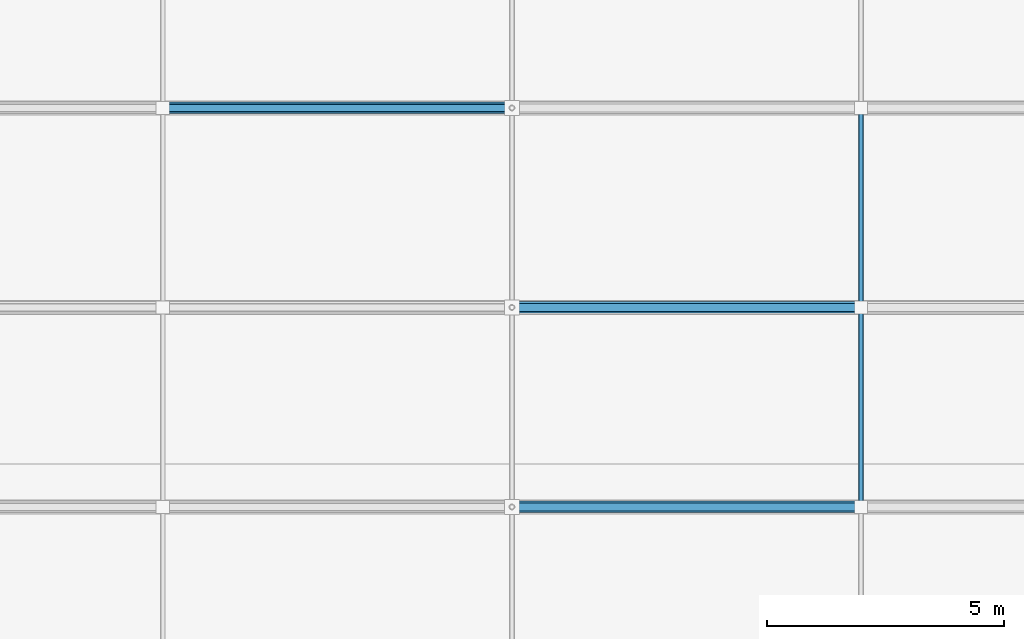
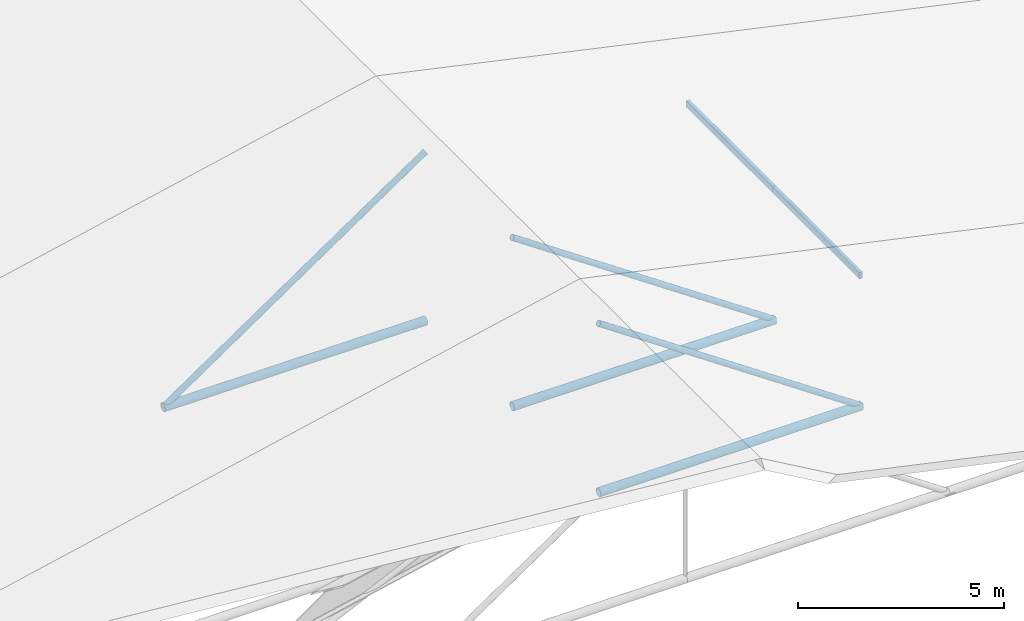
# One storey, part 16 of 60: 8 members.
"""IFC4 building model written with IfcOpenShell, lengths in metres."""

from ifc_helpers import new_model, si_unit, direction, frame, origin, origin_2d, place, context, subcontext, project, spatial, hollow_rectangle, hollow_circle, extrude, material, material_profile, profile_set, type_object, element, save


model = new_model("IFC4")

# Units and contexts
model_context = context("Model", 3, precision=1e-05, world=origin(), true_north=direction((0.0, 1.0)))
body_context = subcontext(model_context, "Body", "Model", "MODEL_VIEW")
ifc_project = project(units=[si_unit("LENGTHUNIT", "METRE"), si_unit("AREAUNIT", "SQUARE_METRE"), si_unit("VOLUMEUNIT", "CUBIC_METRE"), si_unit("PLANEANGLEUNIT", "RADIAN"), si_unit("MASSUNIT", "GRAM", prefix="KILO")], contexts=[model_context])

# Site, building, storey
site_placement = place(None, origin())
site = spatial("IfcSite", under=ifc_project, at=site_placement, CompositionType="ELEMENT")
building_placement = place(site_placement, origin())
building = spatial("IfcBuilding", under=site, at=building_placement, Name="Nakhvara Creek Congress Hotel", CompositionType="ELEMENT")
storey_placement = place(building_placement, frame((0.0, 0.0, 54.60009765625)))
storey = spatial("IfcBuildingStorey", under=building, at=storey_placement, Name="RL1", CompositionType="ELEMENT", Elevation=54.60009765625)

# Members
ifc_material = material(Name="Steel S355J2H", Category="steel")
ifc_material_profile_1 = material_profile(ifc_material, hollow_circle(Radius=0.084228515625, WallThickness=0.008056640625, at=origin_2d()), Name="CHS 168.3x8.0", Category="LoadBearing")
ifc_profile_set_1 = profile_set([ifc_material_profile_1], Name="Steel S355J2H")
member_type_1 = type_object("IfcMemberType", Name="MEM-BRC-CHS168", PredefinedType="BRACE", material=ifc_profile_set_1)
for number, where, z_axis, x_axis, name in (
    (1, (33.75, 95.39990234375, -41.89013671875), (-0.826301661582, 0.0, 0.563227808321), (0.0, -1.0, 0.0), "Ballroom Roof Truss Web Brace 02.4"),
    (2, (33.75, 99.60009765625, -41.89013671875), (-0.826301661582, 0.0, 0.563227808321), (0.0, -1.0, 0.0), "Ballroom Roof Truss Web Brace 03.4"),
):
    element("IfcMember", number, at=place(storey_placement, frame(where, z_axis=z_axis, x_axis=x_axis)), inside=storey, type_object=member_type_1, Name=name, PredefinedType="BRACE", context=body_context, shape_type="SweptSolid", body=[
        extrude(hollow_circle(Radius=0.084228515625, WallThickness=0.008056640625, at=origin_2d()), origin(), (0.0, 0.0, 1.0), 8.895263671875),
    ])
member_1_placement = place(storey_placement, frame((19.050048828125, 103.800048828125, -41.89013671875), z_axis=(0.826292954583, 0.0, 0.563240581996), x_axis=(0.0, 1.0, 0.0)))
element("IfcMember", 3, at=member_1_placement, inside=storey, type_object=member_type_1, Name="Ballroom Roof Truss Web Brace 04.3", PredefinedType="BRACE", context=body_context, shape_type="SweptSolid", body=[
    extrude(hollow_circle(Radius=0.084228515625, WallThickness=0.008056640625, at=origin_2d()), origin(), (0.0, 0.0, 1.0), 8.89501953125),
])
ifc_material_profile_2 = material_profile(ifc_material, hollow_circle(Radius=0.122314453125, WallThickness=0.012451171875, at=origin_2d()), Name="CHS 244.5x12.5", Category="LoadBearing")
ifc_profile_set_2 = profile_set([ifc_material_profile_2], Name="Steel S355J2H")
member_type_2 = type_object("IfcMemberType", Name="MEM-CHD-CHS244", PredefinedType="CHORD", material=ifc_profile_set_2)
for number, where, z_axis, x_axis, name in (
    (4, (26.39990234375, 95.39990234375, -41.89013671875), (1.0, 0.0, 0.0), (0.0, 1.0, 0.0), "Ballroom Roof Truss Bottom Chord 02.4"),
    (5, (26.39990234375, 99.60009765625, -41.89013671875), (1.0, 0.0, 0.0), (0.0, 1.0, 0.0), "Ballroom Roof Truss Bottom Chord 03.4"),
):
    element("IfcMember", number, at=place(storey_placement, frame(where, z_axis=z_axis, x_axis=x_axis)), inside=storey, type_object=member_type_2, Name=name, PredefinedType="CHORD", context=body_context, shape_type="SweptSolid", body=[
        extrude(hollow_circle(Radius=0.122314453125, WallThickness=0.012451171875, at=origin_2d()), origin(), (0.0, 0.0, 1.0), 7.35009765625),
    ])
member_2_placement = place(storey_placement, frame((19.050048828125, 103.800048828125, -41.89013671875), z_axis=(1.0, 0.0, 0.0), x_axis=(0.0, 1.0, 0.0)))
element("IfcMember", 6, at=member_2_placement, inside=storey, type_object=member_type_2, Name="Ballroom Roof Truss Bottom Chord 04.3", PredefinedType="CHORD", context=body_context, shape_type="SweptSolid", body=[
    extrude(hollow_circle(Radius=0.122314453125, WallThickness=0.012451171875, at=origin_2d()), origin(), (0.0, 0.0, 1.0), 7.349853515625),
])
ifc_material_profile_3 = material_profile(ifc_material, hollow_rectangle(XDim=0.10009765625, YDim=0.199951171875, WallThickness=0.008056640625, InnerFilletRadius=0.008056640625, OuterFilletRadius=0.01611328125, at=origin_2d()), Name="RHS 200x100x8.0", Category="LoadBearing")
ifc_profile_set_3 = profile_set([ifc_material_profile_3], Name="Steel S355J2H")
member_type_3 = type_object("IfcMemberType", Name="MEM-PUR-RHS200", PredefinedType="PURLIN", material=ifc_profile_set_3)
member_3_placement = place(storey_placement, frame((33.75, 95.39990234375, -38.033935546875), z_axis=(0.0, 1.0, 0.0), x_axis=(-1.0, 0.0, 0.0)))
element("IfcMember", 7, at=member_3_placement, inside=storey, type_object=member_type_3, Name="Ballroom Roof Purlin 5.2", PredefinedType="PURLIN", context=body_context, shape_type="SweptSolid", body=[
    extrude(hollow_rectangle(XDim=0.10009765625, YDim=0.199951171875, WallThickness=0.008056640625, InnerFilletRadius=0.008056640625, OuterFilletRadius=0.01611328125, at=origin_2d()), origin(), (0.0, 0.0, 1.0), 4.2001953125),
])
member_4_placement = place(storey_placement, frame((33.75, 99.60009765625, -38.033935546875), z_axis=(0.0, 1.0, 0.0), x_axis=(-1.0, 0.0, 0.0)))
element("IfcMember", 8, at=member_4_placement, inside=storey, type_object=member_type_3, Name="Ballroom Roof Purlin 5.3", PredefinedType="PURLIN", context=body_context, shape_type="SweptSolid", body=[
    extrude(hollow_rectangle(XDim=0.10009765625, YDim=0.199951171875, WallThickness=0.008056640625, InnerFilletRadius=0.008056640625, OuterFilletRadius=0.01611328125, at=origin_2d()), origin(), (0.0, 0.0, 1.0), 4.199951171875),
])

save(model, "model.ifc")
